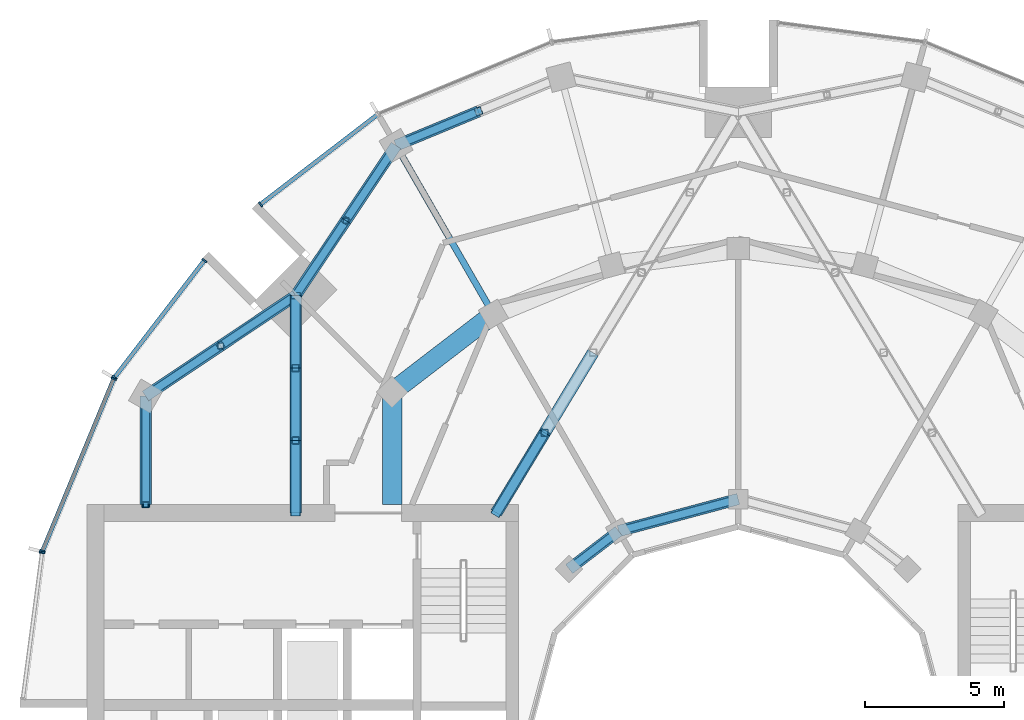
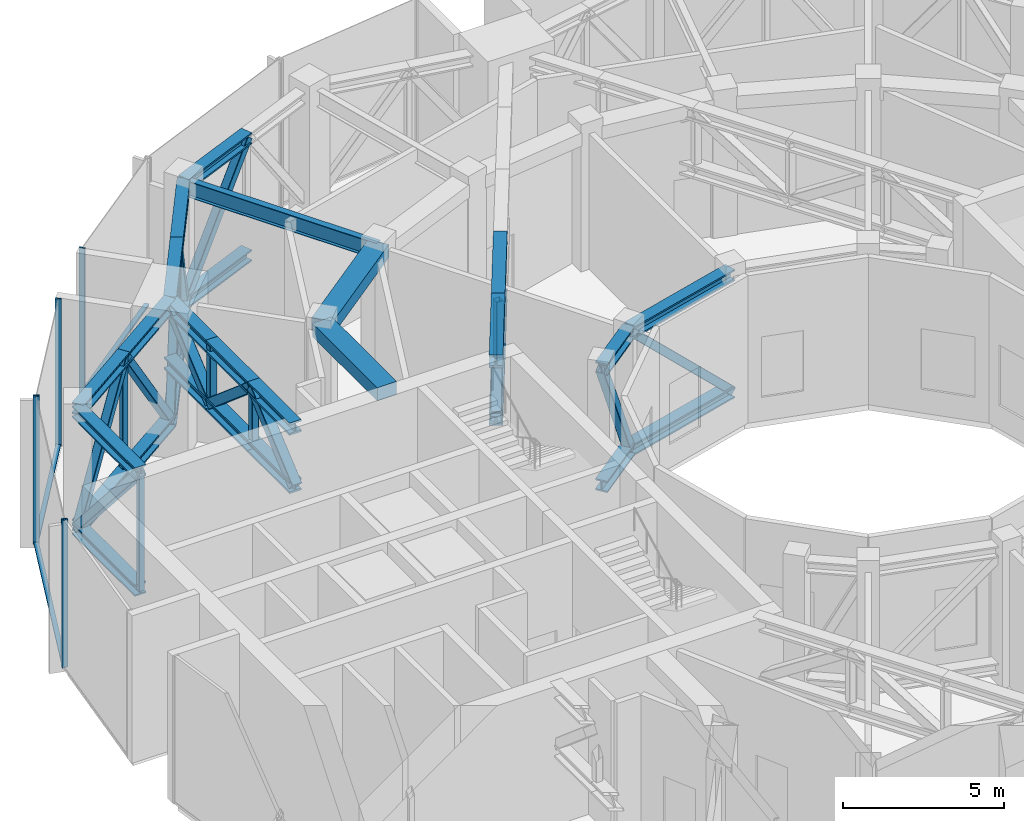
# One storey, part 7 of 18: 53 members, 3 beams, 4 elements without a shape of their own.
"""IFC4 building model written with IfcOpenShell, lengths in metres."""

import ifcopenshell
import ifcopenshell.guid

model = None  # the IFC model being written
_history = None  # IfcOwnerHistory: only IFC2X3 demands one
_inside = {}  # id of a spatial element -> (the spatial element, [elements in it])
_under = {}  # id of a project, library or spatial element -> (it, [spatial elements below it])
_declared = {}  # id of a project -> (the project, [libraries it declares])
_typed = {}  # id of a type object -> (the type object, [elements of that type])
_made_of = {}  # id of a material, layer set ... -> (it, [elements and type objects made of it])


def new_model(schema):
    """Start an empty IFC model of exactly this schema.

    Asked for "IFC4X3", IfcOpenShell would pick the latest addendum, in which some entities
    have other attributes; the version numbers below select the first issue.
    IFC2X3 requires an IfcOwnerHistory on every rooted entity: one is made here for all.
    """
    global model, _history
    if schema == "IFC4X3":
        model = ifcopenshell.file(schema_version=(4, 3, 0, 0))
    else:
        model = ifcopenshell.file(schema=schema)
    _inside.clear()
    _under.clear()
    _declared.clear()
    _typed.clear()
    _made_of.clear()
    _history = None
    if model.schema == "IFC2X3":
        org = make("IfcOrganization", Name="unknown")
        user = make(
            "IfcPersonAndOrganization",
            ThePerson=make("IfcPerson", FamilyName="unknown"),
            TheOrganization=org,
        )
        app = make(
            "IfcApplication",
            ApplicationDeveloper=org,
            Version="unknown",
            ApplicationFullName="unknown",
            ApplicationIdentifier="unknown",
        )
        _history = make(
            "IfcOwnerHistory",
            OwningUser=user,
            OwningApplication=app,
            ChangeAction="ADDED",
            CreationDate=0,
        )
    return model


def make(cls, **values):
    """One entity of the class cls with the attributes given. An attribute that is None is left unset."""
    return model.create_entity(
        cls, **{name: value for name, value in values.items() if value is not None}
    )


def rooted(cls, **values):
    """An entity with a GlobalId (a new one), such as an element, a storey or a relation."""
    return make(cls, GlobalId=ifcopenshell.guid.new(), OwnerHistory=_history, **values)


def si_unit(unit_type, name, prefix=None):
    """IfcSIUnit, for example si_unit("LENGTHUNIT", "METRE", prefix="MILLI")."""
    return make("IfcSIUnit", UnitType=unit_type, Prefix=prefix, Name=name)


def assignment(units):
    """IfcUnitAssignment: the units of a project."""
    return None if units is None else make("IfcUnitAssignment", Units=units)


def point(xyz):
    """IfcCartesianPoint."""
    return None if xyz is None else make("IfcCartesianPoint", Coordinates=xyz)


def direction(xyz):
    """IfcDirection."""
    return None if xyz is None else make("IfcDirection", DirectionRatios=xyz)


def frame(location, z_axis=None, x_axis=None):
    """IfcAxis2Placement3D, a coordinate frame: its origin and axes. An axis left out is left unset."""
    return make(
        "IfcAxis2Placement3D",
        Location=point(location),
        Axis=direction(z_axis),
        RefDirection=direction(x_axis),
    )


def frame_2d(location, x_axis=None):
    """IfcAxis2Placement2D, a coordinate frame in the plane: its origin and x axis."""
    return make(
        "IfcAxis2Placement2D", Location=point(location), RefDirection=direction(x_axis)
    )


def origin():
    """The frame at (0, 0, 0) with its axes left unset."""
    return frame((0.0, 0.0, 0.0))


def origin_2d():
    """The frame at (0, 0) in the plane with its x axis left unset."""
    return frame_2d((0.0, 0.0))


def place(relative_to, where):
    """IfcLocalPlacement: puts the frame where relative to a parent placement (None: the world)."""
    return make(
        "IfcLocalPlacement", PlacementRelTo=relative_to, RelativePlacement=where
    )


def context(
    kind, dimensions, precision=None, world=None, true_north=None, identifier=None
):
    """IfcGeometricRepresentationContext, for example the 3D "Model" context."""
    return make(
        "IfcGeometricRepresentationContext",
        ContextIdentifier=identifier,
        ContextType=kind,
        CoordinateSpaceDimension=dimensions,
        Precision=precision,
        WorldCoordinateSystem=world,
        TrueNorth=true_north,
    )


def subcontext(parent, identifier, kind, view, scale=None):
    """IfcGeometricRepresentationSubContext, for example "Body" below "Model"."""
    return make(
        "IfcGeometricRepresentationSubContext",
        ContextIdentifier=identifier,
        ContextType=kind,
        ParentContext=parent,
        TargetScale=scale,
        TargetView=view,
    )


def project(units=None, contexts=None):
    """IfcProject with its units and contexts."""
    return rooted(
        "IfcProject",
        Name="project",
        RepresentationContexts=contexts,
        UnitsInContext=assignment(units),
    )


def spatial(cls, under=None, at=None, **own):
    """A site, building, storey or space (cls), placed at a placement, below another one or the project."""
    s = rooted(cls, ObjectPlacement=at, **own)
    if under is not None:
        _under.setdefault(under.id(), (under, []))[1].append(s)
    return s


def profile(cls, at=None, kind="AREA", **sizes):
    """A parametric profile (cls). Its sizes go by their IFC names, for example OverallWidth=200.0."""
    return make(cls, ProfileType=kind, Position=at, **sizes)


def rectangle(**sizes):
    """IfcRectangleProfileDef."""
    return profile("IfcRectangleProfileDef", **sizes)


def hollow_rectangle(**sizes):
    """IfcRectangleHollowProfileDef."""
    return profile("IfcRectangleHollowProfileDef", **sizes)


def i_section(**sizes):
    """IfcIShapeProfileDef."""
    return profile("IfcIShapeProfileDef", **sizes)


def extrude(swept, where, along, depth):
    """IfcExtrudedAreaSolid: the profile swept, set in the frame where, extruded along a direction by depth."""
    return make(
        "IfcExtrudedAreaSolid",
        SweptArea=swept,
        Position=where,
        ExtrudedDirection=direction(along),
        Depth=depth,
    )


def shape(context_of_items, identifier, shape_type, items):
    """IfcShapeRepresentation: the items that make up one representation, for example the "Body"."""
    return make(
        "IfcShapeRepresentation",
        ContextOfItems=context_of_items,
        RepresentationIdentifier=identifier,
        RepresentationType=shape_type,
        Items=items,
    )


def material(Name=None, Category=None):
    """IfcMaterial."""
    return make("IfcMaterial", Name=Name, Category=Category)


def layer(
    of_material, thickness, ventilated=None, Name=None, Category=None, Priority=None
):
    """IfcMaterialLayer: one layer of a wall or slab, of a material (None: an air gap)."""
    return make(
        "IfcMaterialLayer",
        Material=of_material,
        LayerThickness=thickness,
        IsVentilated=ventilated,
        Name=Name,
        Category=Category,
        Priority=Priority,
    )


def layer_set(layers, Name=None):
    """IfcMaterialLayerSet."""
    return make("IfcMaterialLayerSet", MaterialLayers=layers, LayerSetName=Name)


def material_profile(
    of_material, cross_section, Name=None, Category=None, Priority=None
):
    """IfcMaterialProfile: a cross section and its material."""
    return make(
        "IfcMaterialProfile",
        Name=Name,
        Material=of_material,
        Profile=cross_section,
        Priority=Priority,
        Category=Category,
    )


def profile_set(profiles, Name=None, composite=None):
    """IfcMaterialProfileSet."""
    return make(
        "IfcMaterialProfileSet",
        Name=Name,
        MaterialProfiles=profiles,
        CompositeProfile=composite,
    )


def made_of(thing, what):
    """Note that an element or type object is made of a material, layer set ...; save() writes the relation."""
    if what is not None:
        _made_of.setdefault(what.id(), (what, []))[1].append(thing)
    return thing


def type_object(cls, material=None, **own):
    """A type object (cls), such as IfcWallType, which elements share."""
    return made_of(rooted(cls, **own), material)


def element(
    cls,
    number,
    at=None,
    inside=None,
    cuts=None,
    type_object=None,
    material=None,
    context=None,
    identifier="Body",
    shape_type=None,
    held_by="IfcProductDefinitionShape",
    body=None,
    shapes=None,
    **own,
):
    """One element of the class cls, such as IfcWall. Its Tag is "e" and its number.

    at: its placement. inside: the storey or other place that contains it. cuts: it is an
    opening in that element (IfcRelVoidsElement). A single representation is given by context,
    identifier, shape_type and body (its items); several are given by shapes. held_by: the class
    of the entity that holds the representations. save() writes the other relations.
    """
    e = rooted(cls, Tag="e%d" % number, ObjectPlacement=at, **own)
    if body is not None:
        shapes = [shape(context, identifier, shape_type, body)]
    if shapes is not None:
        e.Representation = make(held_by, Representations=shapes)
    if inside is not None:
        _inside.setdefault(inside.id(), (inside, []))[1].append(e)
    if cuts is not None:
        rooted(
            "IfcRelVoidsElement", RelatingBuildingElement=cuts, RelatedOpeningElement=e
        )
    if type_object is not None:
        _typed.setdefault(type_object.id(), (type_object, []))[1].append(e)
    return made_of(e, material)


def aggregate(whole, parts):
    """IfcRelAggregates: a whole, such as a stair, and the parts it consists of."""
    return rooted("IfcRelAggregates", RelatingObject=whole, RelatedObjects=parts)


def save(model, path):
    """Write the relations noted so far, then the file.

    IfcRelAggregates (storeys below a building ...), IfcRelContainedInSpatialStructure (elements
    in a storey), IfcRelDefinesByType, IfcRelAssociatesMaterial and IfcRelDeclares: one each for
    every whole, place, type object, material and project.
    """
    for whole, parts in _under.values():
        aggregate(whole, parts)
    for where, things in _inside.values():
        rooted(
            "IfcRelContainedInSpatialStructure",
            RelatedElements=things,
            RelatingStructure=where,
        )
    for kind, things in _typed.values():
        rooted("IfcRelDefinesByType", RelatedObjects=things, RelatingType=kind)
    for what, things in _made_of.values():
        rooted("IfcRelAssociatesMaterial", RelatedObjects=things, RelatingMaterial=what)
    for by, libraries in _declared.values():
        rooted("IfcRelDeclares", RelatingContext=by, RelatedDefinitions=libraries)
    model.write(path)


model = new_model("IFC4")

# Units and contexts
model_context = context("Model", 3, precision=1e-05, world=origin(), true_north=direction((0.0, 1.0)))
body_context = subcontext(model_context, "Body", "Model", "MODEL_VIEW")
ifc_project = project(units=[si_unit("LENGTHUNIT", "METRE"), si_unit("AREAUNIT", "SQUARE_METRE"), si_unit("VOLUMEUNIT", "CUBIC_METRE"), si_unit("PLANEANGLEUNIT", "RADIAN"), si_unit("MASSUNIT", "GRAM", prefix="KILO")], contexts=[model_context])

# Site, building, storey
site_placement = place(None, origin())
site = spatial("IfcSite", under=ifc_project, at=site_placement, CompositionType="ELEMENT")
building_placement = place(site_placement, origin())
building = spatial("IfcBuilding", under=site, at=building_placement, Name="Torre Brocal", CompositionType="ELEMENT")
storey_placement = place(building_placement, frame((0.0, 0.0, 206.89990234375)))
storey = spatial("IfcBuildingStorey", under=building, at=storey_placement, Name="L48", CompositionType="ELEMENT", Elevation=206.89990234375)

# Members
ifc_material_1 = material(Name="Steel A500 Grade C", Category="steel")
ifc_material_profile_1 = material_profile(ifc_material_1, hollow_rectangle(XDim=0.203125, YDim=0.203125, WallThickness=0.01171875, InnerFilletRadius=0.01171875, OuterFilletRadius=0.023681640625, at=origin_2d()), Name="HSS8X8X1/2")
ifc_profile_set_1 = profile_set([ifc_material_profile_1], Name="Steel A500 Grade C")
member_type_1 = type_object("IfcMemberType", Name="BELT 2 POST HSS8X8X1/2", PredefinedType="POST", material=ifc_profile_set_1)
for number, where, z_axis, x_axis, name in (
    (1, (65.89501953125, 93.607177734375, 0.6171875), (0.0, 0.0, 1.0), (1.0, 0.0, 0.0), "Member BT2-P07"),
    (2, (61.392822265625, 89.10498046875, 0.6171875), (0.0, 0.0, 1.0), (1.0, 0.0, 0.0), "Member BT2-P08"),
    (3, (58.69580078125, 83.39990234375, 0.6171875), (0.0, 0.0, 1.0), (1.0, 0.0, 0.0), "Member BT2-P09"),
):
    element("IfcMember", number, at=place(storey_placement, frame(where, z_axis=z_axis, x_axis=x_axis)), inside=storey, type_object=member_type_1, Name=name, PredefinedType="POST", context=body_context, shape_type="SweptSolid", body=[
        extrude(hollow_rectangle(XDim=0.203125, YDim=0.203125, WallThickness=0.01171875, InnerFilletRadius=0.01171875, OuterFilletRadius=0.023681640625, at=origin_2d()), origin(), (0.0, 0.0, 1.0), 4.44580078125),
    ])

# Curtain wall, member
ifc_material_2 = material(Name="Aluminium and glass", Category="aluminium")
ifc_layer_1 = layer(ifc_material_2, 0.199951171875)
ifc_layer_set_1 = layer_set([ifc_layer_1], Name="Aluminium and glass")
curtain_wall_type_1 = type_object("IfcCurtainWallType", Name="CW-1 CURTAIN WALL 5600 HIGH", PredefinedType="NOTDEFINED", material=ifc_layer_set_1)
curtain_wall_1_placement = place(storey_placement, origin())
curtain_wall_1 = element("IfcCurtainWall", 4, at=curtain_wall_1_placement, inside=storey, type_object=curtain_wall_type_1, Name="CW-1 RUN 9", PredefinedType="NOTDEFINED")
ifc_material_3 = material(Name="Aluminium, dark anodised", Category="aluminium")
ifc_material_profile_2 = material_profile(ifc_material_3, rectangle(XDim=0.199951171875, YDim=0.06005859375, at=origin_2d()), Name="CW-1 MULLION 60X200")
ifc_profile_set_2 = profile_set([ifc_material_profile_2], Name="Aluminium, dark anodised")
member_type_2 = type_object("IfcMemberType", Name="CW-1 MULLION 60X200", PredefinedType="MULLION", material=ifc_profile_set_2)
member_1_placement = place(storey_placement, frame((62.83056640625, 94.19140625, 0.0), z_axis=(0.0, 0.0, 1.0), x_axis=(0.60876142905, -0.793353340259, 0.0)))
member_1 = element("IfcMember", 5, at=member_1_placement, type_object=member_type_2, Name="CW1-2 mullion 2", PredefinedType="MULLION", context=body_context, shape_type="SweptSolid", body=[
    extrude(rectangle(XDim=0.199951171875, YDim=0.06005859375, at=origin_2d()), origin(), (0.0, 0.0, 1.0), 5.60009765625),
])

# Curtain wall, members
curtain_wall_2_placement = place(storey_placement, origin())
curtain_wall_2 = element("IfcCurtainWall", 6, at=curtain_wall_2_placement, inside=storey, type_object=curtain_wall_type_1, Name="CW-1 RUN 10", PredefinedType="NOTDEFINED")
member_2_placement = place(storey_placement, frame((60.80859375, 92.16943359375, 0.0), z_axis=(0.0, 0.0, 1.0), x_axis=(0.793353340259, -0.60876142905, 0.0)))
member_2 = element("IfcMember", 7, at=member_2_placement, type_object=member_type_2, Name="CW1-2 mullion 1", PredefinedType="MULLION", context=body_context, shape_type="SweptSolid", body=[
    extrude(rectangle(XDim=0.199951171875, YDim=0.06005859375, at=origin_2d()), origin(), (0.0, 0.0, 1.0), 5.60009765625),
])
member_3_placement = place(storey_placement, frame((57.5888671875, 87.973388671875, 0.0), z_axis=(0.0, 0.0, 1.0), x_axis=(0.793353340259, -0.60876142905, 0.0)))
member_3 = element("IfcMember", 8, at=member_3_placement, type_object=member_type_2, Name="CW1-2 mullion 2", PredefinedType="MULLION", context=body_context, shape_type="SweptSolid", body=[
    extrude(rectangle(XDim=0.199951171875, YDim=0.06005859375, at=origin_2d()), origin(), (0.0, 0.0, 1.0), 5.60009765625),
])

curtain_wall_3_placement = place(storey_placement, origin())
curtain_wall_3 = element("IfcCurtainWall", 9, at=curtain_wall_3_placement, inside=storey, type_object=curtain_wall_type_1, Name="CW-1 RUN 11", PredefinedType="NOTDEFINED")
member_4_placement = place(storey_placement, frame((57.559326171875, 87.921875, 0.0), z_axis=(0.0, 0.0, 1.0), x_axis=(0.923879532525, -0.382683432333, 0.0)))
member_4 = element("IfcMember", 10, at=member_4_placement, type_object=member_type_2, Name="CW1-2 mullion 1", PredefinedType="MULLION", context=body_context, shape_type="SweptSolid", body=[
    extrude(rectangle(XDim=0.199951171875, YDim=0.06005859375, at=origin_2d()), origin(), (0.0, 0.0, 1.0), 5.60009765625),
])
member_5_placement = place(storey_placement, frame((54.994873046875, 81.73095703125, 0.0), z_axis=(0.0, 0.0, 1.0), x_axis=(0.923879532525, -0.382683432333, 0.0)))
member_5 = element("IfcMember", 11, at=member_5_placement, type_object=member_type_2, Name="CW1-2 mullion 2", PredefinedType="MULLION", context=body_context, shape_type="SweptSolid", body=[
    extrude(rectangle(XDim=0.199951171875, YDim=0.06005859375, at=origin_2d()), origin(), (0.0, 0.0, 1.0), 5.60009765625),
])

# Member
ifc_material_4 = material(Name="Aluminium, dark anodised", Category="aluminium")
ifc_material_profile_3 = material_profile(ifc_material_4, rectangle(XDim=0.159912109375, YDim=0.080078125, at=origin_2d()), Name="CW-1 TRANSOM 160X80")
ifc_profile_set_3 = profile_set([ifc_material_profile_3], Name="Aluminium, dark anodised")
member_type_3 = type_object("IfcMemberType", Name="CW-1 TRANSOM 160X80", PredefinedType="USERDEFINED", material=ifc_profile_set_3)
member_6_placement = place(storey_placement, frame((67.0029296875, 97.392822265625, 0.0400390625), z_axis=(-0.79336281513, -0.60874908096, 0.0), x_axis=(0.60874908096, -0.79336281513, 0.0)))
member_6 = element("IfcMember", 12, at=member_6_placement, type_object=member_type_3, Name="CW1-2 transom 1.1", ObjectType="TRANSOM", PredefinedType="USERDEFINED", context=body_context, shape_type="SweptSolid", body=[
    extrude(rectangle(XDim=0.159912109375, YDim=0.080078125, at=origin_2d()), origin(), (0.0, 0.0, 1.0), 5.22900390625),
])

aggregate(curtain_wall_1, [member_1, member_6])

member_7_placement = place(storey_placement, frame((60.790283203125, 92.1455078125, 0.0400390625), z_axis=(-0.60874908096, -0.79336281513, 0.0), x_axis=(0.79336281513, -0.60874908096, 0.0)))
member_7 = element("IfcMember", 13, at=member_7_placement, type_object=member_type_3, Name="CW1-2 transom 1.1", ObjectType="TRANSOM", PredefinedType="USERDEFINED", context=body_context, shape_type="SweptSolid", body=[
    extrude(rectangle(XDim=0.159912109375, YDim=0.080078125, at=origin_2d()), origin(), (0.0, 0.0, 1.0), 5.22900390625),
])

aggregate(curtain_wall_2, [member_2, member_3, member_7])

member_8_placement = place(storey_placement, frame((57.547607421875, 87.89404296875, 0.0400390625), z_axis=(-0.38266457234, -0.923887344364, 0.0), x_axis=(0.923887344364, -0.38266457234, 0.0)))
member_8 = element("IfcMember", 14, at=member_8_placement, type_object=member_type_3, Name="CW1-2 transom 1.1", ObjectType="TRANSOM", PredefinedType="USERDEFINED", context=body_context, shape_type="SweptSolid", body=[
    extrude(rectangle(XDim=0.159912109375, YDim=0.080078125, at=origin_2d()), origin(), (0.0, 0.0, 1.0), 6.640869140625),
])

aggregate(curtain_wall_3, [member_4, member_5, member_8])

# Curtain wall, member
ifc_material_5 = material(Name="Aluminium and glass", Category="aluminium")
ifc_layer_2 = layer(ifc_material_5, 0.199951171875)
ifc_layer_set_2 = layer_set([ifc_layer_2], Name="Aluminium and glass")
curtain_wall_type_2 = type_object("IfcCurtainWallType", Name="CW-1B CURTAIN WALL 5600 HIGH", PredefinedType="NOTDEFINED", material=ifc_layer_set_2)
curtain_wall_4_placement = place(storey_placement, origin())
curtain_wall_4 = element("IfcCurtainWall", 15, at=curtain_wall_4_placement, inside=storey, type_object=curtain_wall_type_2, Name="CW-1B RUN 12", PredefinedType="NOTDEFINED")
ifc_material_6 = material(Name="Aluminium, dark anodised", Category="aluminium")
ifc_material_profile_4 = material_profile(ifc_material_6, rectangle(XDim=0.199951171875, YDim=0.06005859375, at=origin_2d()), Name="CW-1B MULLION 60X200")
ifc_profile_set_4 = profile_set([ifc_material_profile_4], Name="Aluminium, dark anodised")
member_type_4 = type_object("IfcMemberType", Name="CW-1B MULLION 60X200", PredefinedType="MULLION", material=ifc_profile_set_4)
member_9_placement = place(storey_placement, frame((54.9794921875, 81.67333984375, 0.0), z_axis=(0.0, 0.0, 1.0), x_axis=(0.991444861374, -0.13052619222, 0.0)))
member_9 = element("IfcMember", 16, at=member_9_placement, type_object=member_type_4, Name="CW1B-2 mullion 1", PredefinedType="MULLION", context=body_context, shape_type="SweptSolid", body=[
    extrude(rectangle(XDim=0.199951171875, YDim=0.06005859375, at=origin_2d()), origin(), (0.0, 0.0, 1.0), 5.60009765625),
])
aggregate(curtain_wall_4, [member_9])

# Members
ifc_material_7 = material(Name="Steel A500 Grade C", Category="steel")
ifc_material_profile_5 = material_profile(ifc_material_7, hollow_rectangle(XDim=0.25390625, YDim=0.25390625, WallThickness=0.01171875, InnerFilletRadius=0.01171875, OuterFilletRadius=0.023681640625, at=origin_2d()), Name="HSS10X10X1/2")
ifc_profile_set_5 = profile_set([ifc_material_profile_5], Name="Steel A500 Grade C")
member_type_5 = type_object("IfcMemberType", Name="OUTRIGGER 2 POST HSS10X10X1/2", PredefinedType="POST", material=ifc_profile_set_5)
member_10_placement = place(storey_placement, frame((73.0400390625, 85.97998046875, 2.848876953125), z_axis=(0.0, 0.0, 1.0), x_axis=(1.0, 0.0, 0.0)))
element("IfcMember", 17, at=member_10_placement, inside=storey, type_object=member_type_5, Name="Member OT2-P07", PredefinedType="POST", context=body_context, shape_type="SweptSolid", body=[
    extrude(hollow_rectangle(XDim=0.25390625, YDim=0.25390625, WallThickness=0.01171875, InnerFilletRadius=0.01171875, OuterFilletRadius=0.023681640625, at=origin_2d()), origin(), (0.0, 0.0, 1.0), 2.182373046875),
])
for number, where, z_axis, x_axis, name in (
    (18, (64.090087890625, 85.703369140625, 2.83251953125), (0.0, 0.0, 1.0), (1.0, 0.0, 0.0), "Member OT2-P11"),
    (19, (64.090087890625, 88.306640625, 2.83251953125), (0.0, 0.0, 1.0), (1.0, 0.0, 0.0), "Member OT2-P12"),
):
    element("IfcMember", number, at=place(storey_placement, frame(where, z_axis=z_axis, x_axis=x_axis)), inside=storey, type_object=member_type_5, Name=name, PredefinedType="POST", context=body_context, shape_type="SweptSolid", body=[
        extrude(hollow_rectangle(XDim=0.25390625, YDim=0.25390625, WallThickness=0.01171875, InnerFilletRadius=0.01171875, OuterFilletRadius=0.023681640625, at=origin_2d()), origin(), (0.0, 0.0, 1.0), 2.215087890625),
    ])

# Beams
ifc_material_8 = material(Name="Steel A992", Category="steel")
ifc_material_profile_6 = material_profile(ifc_material_8, i_section(OverallWidth=0.22900390625, OverallDepth=0.612060546875, WebThickness=0.011962890625, FlangeThickness=0.01953125, at=origin_2d()), Name="W24X84")
ifc_profile_set_6 = profile_set([ifc_material_profile_6], Name="Steel A992")
beam_type_1 = type_object("IfcBeamType", Name="PLANT FLOOR BEAM TOP 5280 W24X84", PredefinedType="BEAM", material=ifc_profile_set_6)
beam_1_placement = place(storey_placement, frame((71.199951171875, 90.241943359375, 4.97412109375), z_axis=(-0.499995173006, 0.866028190633, 0.0), x_axis=(-0.866028190633, -0.499995173006, 0.0)))
element("IfcBeam", 20, at=beam_1_placement, inside=storey, type_object=beam_type_1, Name="Beam SF-02", PredefinedType="BEAM", context=body_context, shape_type="SweptSolid", body=[
    extrude(i_section(OverallWidth=0.22900390625, OverallDepth=0.612060546875, WebThickness=0.011962890625, FlangeThickness=0.01953125, at=origin_2d()), origin(), (0.0, 0.0, 1.0), 7.0),
])
ifc_material_9 = material(Name="Concrete C50", Category="concrete")
ifc_material_profile_7 = material_profile(ifc_material_9, rectangle(XDim=0.699951171875, YDim=0.5, at=origin_2d()), Name="RC 700X500")
ifc_profile_set_7 = profile_set([ifc_material_profile_7], Name="Concrete C50")
beam_type_2 = type_object("IfcBeamType", Name="RC BEAM 700X500 C50 TOP 5280", PredefinedType="BEAM", material=ifc_profile_set_7)
beam_2_placement = place(storey_placement, frame((71.199951171875, 90.241943359375, 5.030029296875), z_axis=(-0.793358265959, -0.6087550097, 0.0), x_axis=(0.6087550097, -0.793358265959, 0.0)))
element("IfcBeam", 21, at=beam_2_placement, inside=storey, type_object=beam_type_2, Name="Beam BT-36", PredefinedType="BEAM", context=body_context, shape_type="SweptSolid", body=[
    extrude(rectangle(XDim=0.699951171875, YDim=0.5, at=origin_2d()), origin(), (0.0, 0.0, 1.0), 4.594482421875),
])
beam_3_placement = place(storey_placement, frame((67.554931640625, 87.445068359375, 5.030029296875), z_axis=(0.0, -1.0, 0.0), x_axis=(1.0, 0.0, 0.0)))
element("IfcBeam", 22, at=beam_3_placement, inside=storey, type_object=beam_type_2, Name="Beam BT-36", PredefinedType="BEAM", context=body_context, shape_type="SweptSolid", body=[
    extrude(rectangle(XDim=0.699951171875, YDim=0.5, at=origin_2d()), origin(), (0.0, 0.0, 1.0), 4.045166015625),
])

# Members
ifc_material_10 = material(Name="Steel A992", Category="steel")
ifc_material_profile_8 = material_profile(ifc_material_10, i_section(OverallWidth=0.41162109375, OverallDepth=0.434326171875, WebThickness=0.035888671875, FlangeThickness=0.057373046875, at=origin_2d()), Name="W14X311")
ifc_profile_set_8 = profile_set([ifc_material_profile_8], Name="Steel A992")
member_type_6 = type_object("IfcMemberType", Name="TRUSS BOTTOM CHORD W14X311", PredefinedType="CHORD", material=ifc_profile_set_8)
member_11_placement = place(storey_placement, frame((70.66650390625, 97.532958984375, 0.6171875), z_axis=(-0.923882462513, -0.382676358639, 0.0), x_axis=(0.382676358639, -0.923882462513, 0.0)))
element("IfcMember", 23, at=member_11_placement, inside=storey, type_object=member_type_6, Name="Member BT2-C24", PredefinedType="CHORD", context=body_context, shape_type="SweptSolid", body=[
    extrude(i_section(OverallWidth=0.41162109375, OverallDepth=0.434326171875, WebThickness=0.035888671875, FlangeThickness=0.057373046875, at=origin_2d()), origin(), (0.0, 0.0, 1.0), 3.2109375),
])
for number, where, z_axis, x_axis, name in (
    (24, (67.699951171875, 96.30419921875, 0.6171875), (-0.556174988166, -0.831065209559, 0.0), (0.831065209559, -0.556174988166, 0.0), "Member BT2-C26"),
    (25, (65.89501953125, 93.607177734375, 0.6171875), (-0.556140217242, -0.831088478302, 0.0), (0.831088478302, -0.556140217242, 0.0), "Member BT2-C28"),
    (26, (64.090087890625, 90.909912109375, 0.6171875), (-0.831088478302, -0.556140217242, 0.0), (0.556140217242, -0.831088478302, 0.0), "Member BT2-C30"),
    (27, (61.392822265625, 89.10498046875, 0.6171875), (-0.831065209559, -0.556174988166, 0.0), (0.556174988166, -0.831065209559, 0.0), "Member BT2-C32"),
):
    element("IfcMember", number, at=place(storey_placement, frame(where, z_axis=z_axis, x_axis=x_axis)), inside=storey, type_object=member_type_6, Name=name, PredefinedType="CHORD", context=body_context, shape_type="SweptSolid", body=[
        extrude(i_section(OverallWidth=0.41162109375, OverallDepth=0.434326171875, WebThickness=0.035888671875, FlangeThickness=0.057373046875, at=origin_2d()), origin(), (0.0, 0.0, 1.0), 3.245361328125),
    ])
member_12_placement = place(storey_placement, frame((58.69580078125, 87.300048828125, 0.6171875), z_axis=(0.0, -1.0, 0.0), x_axis=(1.0, 0.0, 0.0)))
element("IfcMember", 28, at=member_12_placement, inside=storey, type_object=member_type_6, Name="Member BT2-C34", PredefinedType="CHORD", context=body_context, shape_type="SweptSolid", body=[
    extrude(i_section(OverallWidth=0.41162109375, OverallDepth=0.434326171875, WebThickness=0.035888671875, FlangeThickness=0.057373046875, at=origin_2d()), origin(), (0.0, 0.0, 1.0), 3.900146484375),
])
member_13_placement = place(storey_placement, frame((80.0, 83.60009765625, 0.6171875), z_axis=(-0.965917450527, -0.25885030185, 0.0), x_axis=(0.25885030185, -0.965917450527, 0.0)))
element("IfcMember", 29, at=member_13_placement, inside=storey, type_object=member_type_6, Name="Member BT2-C78", PredefinedType="CHORD", context=body_context, shape_type="SweptSolid", body=[
    extrude(i_section(OverallWidth=0.41162109375, OverallDepth=0.434326171875, WebThickness=0.035888671875, FlangeThickness=0.057373046875, at=origin_2d()), origin(), (0.0, 0.0, 1.0), 4.45166015625),
])
member_14_placement = place(storey_placement, frame((75.699951171875, 82.44775390625, 0.6171875), z_axis=(-0.793334976885, -0.608785359918, 0.0), x_axis=(0.608785359918, -0.793334976885, 0.0)))
element("IfcMember", 30, at=member_14_placement, inside=storey, type_object=member_type_6, Name="Member BT2-C80", PredefinedType="CHORD", context=body_context, shape_type="SweptSolid", body=[
    extrude(i_section(OverallWidth=0.41162109375, OverallDepth=0.434326171875, WebThickness=0.035888671875, FlangeThickness=0.057373046875, at=origin_2d()), origin(), (0.0, 0.0, 1.0), 2.244873046875),
])
ifc_material_11 = material(Name="Steel A992", Category="steel")
ifc_material_profile_9 = material_profile(ifc_material_11, i_section(OverallWidth=0.421630859375, OverallDepth=0.46484375, WebThickness=0.044921875, FlangeThickness=0.072509765625, at=origin_2d()), Name="W14X398")
ifc_profile_set_9 = profile_set([ifc_material_profile_9], Name="Steel A992")
member_type_7 = type_object("IfcMemberType", Name="TRUSS BOTTOM CHORD W14X398", PredefinedType="CHORD", material=ifc_profile_set_9)
for number, where, z_axis, x_axis, name in (
    (31, (64.090087890625, 83.10009765625, 2.83251953125), (0.0, 1.0, 0.0), (-1.0, 0.0, 0.0), "Member OT2-C28"),
    (32, (64.090087890625, 85.703369140625, 2.83251953125), (0.0, 1.0, 0.0), (-1.0, 0.0, 0.0), "Member OT2-C30"),
    (33, (64.090087890625, 88.306640625, 2.83251953125), (0.0, 1.0, 0.0), (-1.0, 0.0, 0.0), "Member OT2-C32"),
):
    element("IfcMember", number, at=place(storey_placement, frame(where, z_axis=z_axis, x_axis=x_axis)), inside=storey, type_object=member_type_7, Name=name, PredefinedType="CHORD", context=body_context, shape_type="SweptSolid", body=[
        extrude(i_section(OverallWidth=0.421630859375, OverallDepth=0.46484375, WebThickness=0.044921875, FlangeThickness=0.072509765625, at=origin_2d()), origin(), (0.0, 0.0, 1.0), 2.603271484375),
    ])
ifc_material_12 = material(Name="Steel A992", Category="steel")
ifc_material_profile_10 = material_profile(ifc_material_12, i_section(OverallWidth=0.431884765625, OverallDepth=0.497802734375, WebThickness=0.0556640625, FlangeThickness=0.0888671875, at=origin_2d()), Name="W14X500")
ifc_profile_set_10 = profile_set([ifc_material_profile_10], Name="Steel A992")
member_type_8 = type_object("IfcMemberType", Name="TRUSS BOTTOM CHORD W14X500", PredefinedType="CHORD", material=ifc_profile_set_10)
member_15_placement = place(storey_placement, frame((71.300048828125, 83.10009765625, 2.848876953125), z_axis=(0.517128928912, 0.855907513042, 0.0), x_axis=(-0.855907513042, 0.517128928912, 0.0)))
element("IfcMember", 34, at=member_15_placement, inside=storey, type_object=member_type_8, Name="Member OT2-C18", PredefinedType="CHORD", context=body_context, shape_type="SweptSolid", body=[
    extrude(i_section(OverallWidth=0.431884765625, OverallDepth=0.497802734375, WebThickness=0.0556640625, FlangeThickness=0.0888671875, at=origin_2d()), origin(), (0.0, 0.0, 1.0), 3.36474609375),
])
member_16_placement = place(storey_placement, frame((73.0400390625, 85.97998046875, 2.848876953125), z_axis=(0.517096814817, 0.855926915167, 0.0), x_axis=(-0.855926915167, 0.517096814817, 0.0)))
element("IfcMember", 35, at=member_16_placement, inside=storey, type_object=member_type_8, Name="Member OT2-C20", PredefinedType="CHORD", context=body_context, shape_type="SweptSolid", body=[
    extrude(i_section(OverallWidth=0.431884765625, OverallDepth=0.497802734375, WebThickness=0.0556640625, FlangeThickness=0.0888671875, at=origin_2d()), origin(), (0.0, 0.0, 1.0), 3.364990234375),
])
ifc_material_13 = material(Name="Steel A500 Grade C", Category="steel")
ifc_material_profile_11 = material_profile(ifc_material_13, hollow_rectangle(XDim=0.3046875, YDim=0.3046875, WallThickness=0.014892578125, InnerFilletRadius=0.014892578125, OuterFilletRadius=0.029541015625, at=origin_2d()), Name="HSS12X12X5/8")
ifc_profile_set_11 = profile_set([ifc_material_profile_11], Name="Steel A500 Grade C")
member_type_9 = type_object("IfcMemberType", Name="TRUSS DIAGONAL HSS12X12X5/8", PredefinedType="BRACE", material=ifc_profile_set_11)
member_17_placement = place(storey_placement, frame((70.66650390625, 97.532958984375, 5.06298828125), z_axis=(-0.540936327558, -0.22405831097, -0.810669946904), x_axis=(0.382676358639, -0.923882462513, 0.0)))
element("IfcMember", 36, at=member_17_placement, inside=storey, type_object=member_type_9, Name="Member BT2-D12", PredefinedType="BRACE", context=body_context, shape_type="SweptSolid", body=[
    extrude(hollow_rectangle(XDim=0.3046875, YDim=0.3046875, WallThickness=0.014892578125, InnerFilletRadius=0.014892578125, OuterFilletRadius=0.029541015625, at=origin_2d()), origin(), (0.0, 0.0, 1.0), 5.484130859375),
])
member_18_placement = place(storey_placement, frame((67.699951171875, 96.30419921875, 0.6171875), z_axis=(-0.327915568587, -0.489988270821, 0.807702218851), x_axis=(0.831065209559, -0.556174988166, 0.0)))
element("IfcMember", 37, at=member_18_placement, inside=storey, type_object=member_type_9, Name="Member BT2-D13", PredefinedType="BRACE", context=body_context, shape_type="SweptSolid", body=[
    extrude(hollow_rectangle(XDim=0.3046875, YDim=0.3046875, WallThickness=0.014892578125, InnerFilletRadius=0.014892578125, OuterFilletRadius=0.029541015625, at=origin_2d()), origin(), (0.0, 0.0, 1.0), 5.504150390625),
])
for number, where, z_axis, x_axis, name in (
    (38, (65.89501953125, 93.607177734375, 5.06298828125), (-0.327908441787, -0.490021975499, -0.80768466454), (0.831088478302, -0.556140217242, 0.0), "Member BT2-D14"),
    (39, (64.090087890625, 90.909912109375, 0.6171875), (-0.490021975499, -0.327908441787, 0.80768466454), (0.556140217242, -0.831088478302, 0.0), "Member BT2-D15"),
):
    element("IfcMember", number, at=place(storey_placement, frame(where, z_axis=z_axis, x_axis=x_axis)), inside=storey, type_object=member_type_9, Name=name, PredefinedType="BRACE", context=body_context, shape_type="SweptSolid", body=[
        extrude(hollow_rectangle(XDim=0.3046875, YDim=0.3046875, WallThickness=0.014892578125, InnerFilletRadius=0.014892578125, OuterFilletRadius=0.029541015625, at=origin_2d()), origin(), (0.0, 0.0, 1.0), 5.50439453125),
    ])
member_19_placement = place(storey_placement, frame((61.392822265625, 89.10498046875, 5.06298828125), z_axis=(-0.489988270821, -0.327915568587, -0.807702218851), x_axis=(0.556174988166, -0.831065209559, 0.0)))
element("IfcMember", 40, at=member_19_placement, inside=storey, type_object=member_type_9, Name="Member BT2-D16", PredefinedType="BRACE", context=body_context, shape_type="SweptSolid", body=[
    extrude(hollow_rectangle(XDim=0.3046875, YDim=0.3046875, WallThickness=0.014892578125, InnerFilletRadius=0.014892578125, OuterFilletRadius=0.029541015625, at=origin_2d()), origin(), (0.0, 0.0, 1.0), 5.504150390625),
])
member_20_placement = place(storey_placement, frame((58.69580078125, 87.300048828125, 0.6171875), z_axis=(0.0, -0.659468514834, 0.751732184985), x_axis=(1.0, 0.0, 0.0)))
element("IfcMember", 41, at=member_20_placement, inside=storey, type_object=member_type_9, Name="Member BT2-D17", PredefinedType="BRACE", context=body_context, shape_type="SweptSolid", body=[
    extrude(hollow_rectangle(XDim=0.3046875, YDim=0.3046875, WallThickness=0.014892578125, InnerFilletRadius=0.014892578125, OuterFilletRadius=0.029541015625, at=origin_2d()), origin(), (0.0, 0.0, 1.0), 5.9140625),
])
member_21_placement = place(storey_placement, frame((80.0, 83.60009765625, 0.6171875), z_axis=(-0.683465358203, -0.183157695493, 0.706631702316), x_axis=(0.25885030185, -0.965917450527, 0.0)))
element("IfcMember", 42, at=member_21_placement, inside=storey, type_object=member_type_9, Name="Member BT2-D39", PredefinedType="BRACE", context=body_context, shape_type="SweptSolid", body=[
    extrude(hollow_rectangle(XDim=0.3046875, YDim=0.3046875, WallThickness=0.014892578125, InnerFilletRadius=0.014892578125, OuterFilletRadius=0.029541015625, at=origin_2d()), origin(), (0.0, 0.0, 1.0), 6.29150390625),
])
member_22_placement = place(storey_placement, frame((75.699951171875, 82.44775390625, 0.6171875), z_axis=(-0.357598585289, -0.274412183749, 0.89264842195), x_axis=(0.608785359918, -0.793334976885, 0.0)))
element("IfcMember", 43, at=member_22_placement, inside=storey, type_object=member_type_9, Name="Member BT2-D40", PredefinedType="BRACE", context=body_context, shape_type="SweptSolid", body=[
    extrude(hollow_rectangle(XDim=0.3046875, YDim=0.3046875, WallThickness=0.014892578125, InnerFilletRadius=0.014892578125, OuterFilletRadius=0.029541015625, at=origin_2d()), origin(), (0.0, 0.0, 1.0), 4.98046875),
])
ifc_material_14 = material(Name="Steel A500 Grade C", Category="steel")
ifc_material_profile_12 = material_profile(ifc_material_14, hollow_rectangle(XDim=0.355712890625, YDim=0.355712890625, WallThickness=0.014892578125, InnerFilletRadius=0.014892578125, OuterFilletRadius=0.029541015625, at=origin_2d()), Name="HSS14X14X5/8")
ifc_profile_set_12 = profile_set([ifc_material_profile_12], Name="Steel A500 Grade C")
member_type_10 = type_object("IfcMemberType", Name="TRUSS DIAGONAL HSS14X14X5/8", PredefinedType="BRACE", material=ifc_profile_set_12)
member_23_placement = place(storey_placement, frame((71.300048828125, 83.10009765625, 2.848876953125), z_axis=(0.433859584618, 0.718087226063, 0.544165964206), x_axis=(-0.855907513042, 0.517128928912, 0.0)))
element("IfcMember", 44, at=member_23_placement, inside=storey, type_object=member_type_10, Name="Member OT2-D09", PredefinedType="BRACE", context=body_context, shape_type="SweptSolid", body=[
    extrude(hollow_rectangle(XDim=0.355712890625, YDim=0.355712890625, WallThickness=0.014892578125, InnerFilletRadius=0.014892578125, OuterFilletRadius=0.029541015625, at=origin_2d()), origin(), (0.0, 0.0, 1.0), 4.010498046875),
])
for number, where, z_axis, x_axis, name in (
    (45, (64.090087890625, 83.10009765625, 2.83251953125), (0.0, 0.761606141617, 0.648040187836), (-1.0, 0.0, 0.0), "Member OT2-D14"),
    (46, (64.090087890625, 85.703369140625, 5.047607421875), (0.0, 0.761606141617, -0.648040187836), (-1.0, 0.0, 0.0), "Member OT2-D15"),
    (47, (64.090087890625, 88.306640625, 2.83251953125), (0.0, 0.761606141617, 0.648040187836), (-1.0, 0.0, 0.0), "Member OT2-D16"),
):
    element("IfcMember", number, at=place(storey_placement, frame(where, z_axis=z_axis, x_axis=x_axis)), inside=storey, type_object=member_type_10, Name=name, PredefinedType="BRACE", context=body_context, shape_type="SweptSolid", body=[
        extrude(hollow_rectangle(XDim=0.355712890625, YDim=0.355712890625, WallThickness=0.014892578125, InnerFilletRadius=0.014892578125, OuterFilletRadius=0.029541015625, at=origin_2d()), origin(), (0.0, 0.0, 1.0), 3.418212890625),
    ])
ifc_material_15 = material(Name="Steel A992", Category="steel")
ifc_material_profile_13 = material_profile(ifc_material_15, i_section(OverallWidth=0.41162109375, OverallDepth=0.434326171875, WebThickness=0.035888671875, FlangeThickness=0.057373046875, at=origin_2d()), Name="W14X311")
ifc_profile_set_13 = profile_set([ifc_material_profile_13], Name="Steel A992")
member_type_11 = type_object("IfcMemberType", Name="TRUSS TOP CHORD W14X311", PredefinedType="CHORD", material=ifc_profile_set_13)
member_24_placement = place(storey_placement, frame((70.66650390625, 97.532958984375, 5.06298828125), z_axis=(-0.923882462513, -0.382676358639, 0.0), x_axis=(0.382676358639, -0.923882462513, 0.0)))
element("IfcMember", 48, at=member_24_placement, inside=storey, type_object=member_type_11, Name="Member BT2-C23", PredefinedType="CHORD", context=body_context, shape_type="SweptSolid", body=[
    extrude(i_section(OverallWidth=0.41162109375, OverallDepth=0.434326171875, WebThickness=0.035888671875, FlangeThickness=0.057373046875, at=origin_2d()), origin(), (0.0, 0.0, 1.0), 3.2109375),
])
for number, where, z_axis, x_axis, name in (
    (49, (67.699951171875, 96.30419921875, 5.06298828125), (-0.556174988166, -0.831065209559, 0.0), (0.831065209559, -0.556174988166, 0.0), "Member BT2-C25"),
    (50, (65.89501953125, 93.607177734375, 5.06298828125), (-0.556140217242, -0.831088478302, 0.0), (0.831088478302, -0.556140217242, 0.0), "Member BT2-C27"),
    (51, (64.090087890625, 90.909912109375, 5.06298828125), (-0.831088478302, -0.556140217242, 0.0), (0.556140217242, -0.831088478302, 0.0), "Member BT2-C29"),
    (52, (61.392822265625, 89.10498046875, 5.06298828125), (-0.831065209559, -0.556174988166, 0.0), (0.556174988166, -0.831065209559, 0.0), "Member BT2-C31"),
):
    element("IfcMember", number, at=place(storey_placement, frame(where, z_axis=z_axis, x_axis=x_axis)), inside=storey, type_object=member_type_11, Name=name, PredefinedType="CHORD", context=body_context, shape_type="SweptSolid", body=[
        extrude(i_section(OverallWidth=0.41162109375, OverallDepth=0.434326171875, WebThickness=0.035888671875, FlangeThickness=0.057373046875, at=origin_2d()), origin(), (0.0, 0.0, 1.0), 3.245361328125),
    ])
member_25_placement = place(storey_placement, frame((58.69580078125, 87.300048828125, 5.06298828125), z_axis=(0.0, -1.0, 0.0), x_axis=(1.0, 0.0, 0.0)))
element("IfcMember", 53, at=member_25_placement, inside=storey, type_object=member_type_11, Name="Member BT2-C33", PredefinedType="CHORD", context=body_context, shape_type="SweptSolid", body=[
    extrude(i_section(OverallWidth=0.41162109375, OverallDepth=0.434326171875, WebThickness=0.035888671875, FlangeThickness=0.057373046875, at=origin_2d()), origin(), (0.0, 0.0, 1.0), 3.900146484375),
])
member_26_placement = place(storey_placement, frame((80.0, 83.60009765625, 5.06298828125), z_axis=(-0.965917450527, -0.25885030185, 0.0), x_axis=(0.25885030185, -0.965917450527, 0.0)))
element("IfcMember", 54, at=member_26_placement, inside=storey, type_object=member_type_11, Name="Member BT2-C77", PredefinedType="CHORD", context=body_context, shape_type="SweptSolid", body=[
    extrude(i_section(OverallWidth=0.41162109375, OverallDepth=0.434326171875, WebThickness=0.035888671875, FlangeThickness=0.057373046875, at=origin_2d()), origin(), (0.0, 0.0, 1.0), 4.45166015625),
])
member_27_placement = place(storey_placement, frame((75.699951171875, 82.44775390625, 5.06298828125), z_axis=(-0.793334976885, -0.608785359918, 0.0), x_axis=(0.608785359918, -0.793334976885, 0.0)))
element("IfcMember", 55, at=member_27_placement, inside=storey, type_object=member_type_11, Name="Member BT2-C79", PredefinedType="CHORD", context=body_context, shape_type="SweptSolid", body=[
    extrude(i_section(OverallWidth=0.41162109375, OverallDepth=0.434326171875, WebThickness=0.035888671875, FlangeThickness=0.057373046875, at=origin_2d()), origin(), (0.0, 0.0, 1.0), 2.244873046875),
])
ifc_material_16 = material(Name="Steel A992", Category="steel")
ifc_material_profile_14 = material_profile(ifc_material_16, i_section(OverallWidth=0.421630859375, OverallDepth=0.46484375, WebThickness=0.044921875, FlangeThickness=0.072509765625, at=origin_2d()), Name="W14X398")
ifc_profile_set_14 = profile_set([ifc_material_profile_14], Name="Steel A992")
member_type_12 = type_object("IfcMemberType", Name="TRUSS TOP CHORD W14X398", PredefinedType="CHORD", material=ifc_profile_set_14)
for number, where, z_axis, x_axis, name in (
    (56, (64.090087890625, 83.10009765625, 5.047607421875), (0.0, 1.0, 0.0), (-1.0, 0.0, 0.0), "Member OT2-C27"),
    (57, (64.090087890625, 85.703369140625, 5.047607421875), (0.0, 1.0, 0.0), (-1.0, 0.0, 0.0), "Member OT2-C29"),
    (58, (64.090087890625, 88.306640625, 5.047607421875), (0.0, 1.0, 0.0), (-1.0, 0.0, 0.0), "Member OT2-C31"),
):
    element("IfcMember", number, at=place(storey_placement, frame(where, z_axis=z_axis, x_axis=x_axis)), inside=storey, type_object=member_type_12, Name=name, PredefinedType="CHORD", context=body_context, shape_type="SweptSolid", body=[
        extrude(i_section(OverallWidth=0.421630859375, OverallDepth=0.46484375, WebThickness=0.044921875, FlangeThickness=0.072509765625, at=origin_2d()), origin(), (0.0, 0.0, 1.0), 2.603271484375),
    ])
ifc_material_17 = material(Name="Steel A992", Category="steel")
ifc_material_profile_15 = material_profile(ifc_material_17, i_section(OverallWidth=0.431884765625, OverallDepth=0.497802734375, WebThickness=0.0556640625, FlangeThickness=0.0888671875, at=origin_2d()), Name="W14X500")
ifc_profile_set_15 = profile_set([ifc_material_profile_15], Name="Steel A992")
member_type_13 = type_object("IfcMemberType", Name="TRUSS TOP CHORD W14X500", PredefinedType="CHORD", material=ifc_profile_set_15)
member_28_placement = place(storey_placement, frame((71.300048828125, 83.10009765625, 5.03125), z_axis=(0.517128928912, 0.855907513042, 0.0), x_axis=(-0.855907513042, 0.517128928912, 0.0)))
element("IfcMember", 59, at=member_28_placement, inside=storey, type_object=member_type_13, Name="Member OT2-C17", PredefinedType="CHORD", context=body_context, shape_type="SweptSolid", body=[
    extrude(i_section(OverallWidth=0.431884765625, OverallDepth=0.497802734375, WebThickness=0.0556640625, FlangeThickness=0.0888671875, at=origin_2d()), origin(), (0.0, 0.0, 1.0), 3.36474609375),
])
member_29_placement = place(storey_placement, frame((73.0400390625, 85.97998046875, 5.03125), z_axis=(0.517096814817, 0.855926915167, 0.0), x_axis=(-0.855926915167, 0.517096814817, 0.0)))
element("IfcMember", 60, at=member_29_placement, inside=storey, type_object=member_type_13, Name="Member OT2-C19", PredefinedType="CHORD", context=body_context, shape_type="SweptSolid", body=[
    extrude(i_section(OverallWidth=0.431884765625, OverallDepth=0.497802734375, WebThickness=0.0556640625, FlangeThickness=0.0888671875, at=origin_2d()), origin(), (0.0, 0.0, 1.0), 3.364990234375),
])

save(model, "model.ifc")
